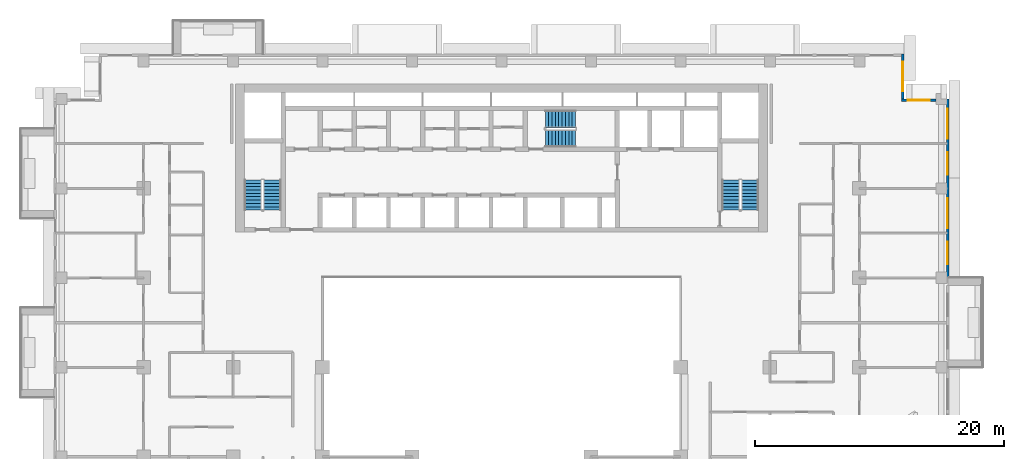
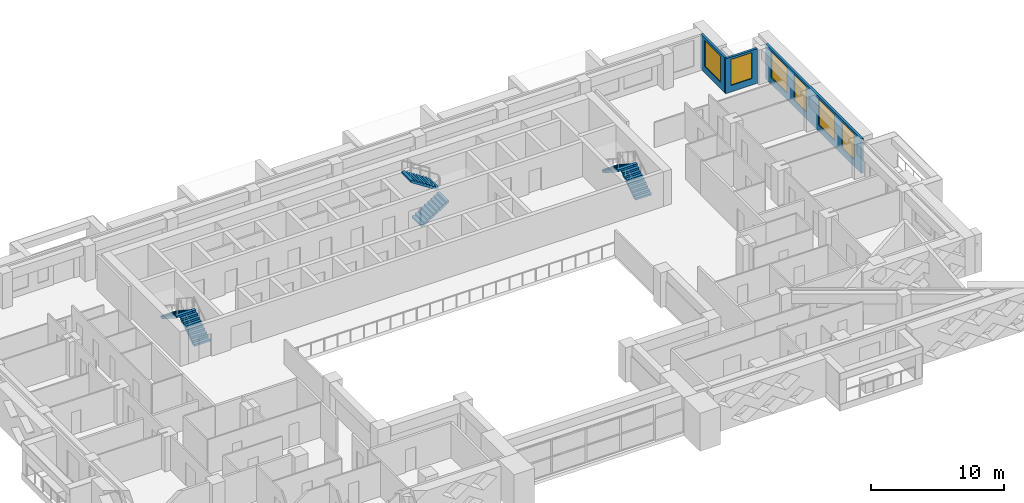
# One storey, part 13 of 20: 6 stair flights, 6 windows, 3 walls, 6 openings, 3 elements without a shape of their own.
"""IFC4 building model written with IfcOpenShell, lengths in metres."""

from ifc_helpers import new_model, si_unit, direction, frame, frame_2d, origin, place, context, subcontext, project, spatial, polyline, rectangle, outline, extrude, material, layer, layer_set, type_object, element, fill, aggregate, save


model = new_model("IFC4")

# Units and contexts
model_context = context("Model", 3, precision=1e-05, world=origin(), true_north=direction((0.0, 1.0)))
body_context = subcontext(model_context, "Body", "Model", "MODEL_VIEW")
ifc_project = project(units=[si_unit("LENGTHUNIT", "METRE"), si_unit("AREAUNIT", "SQUARE_METRE"), si_unit("VOLUMEUNIT", "CUBIC_METRE"), si_unit("PLANEANGLEUNIT", "RADIAN"), si_unit("MASSUNIT", "GRAM", prefix="KILO")], contexts=[model_context])

# Site, building, storey
site_placement = place(None, origin())
site = spatial("IfcSite", under=ifc_project, at=site_placement, CompositionType="ELEMENT")
building_placement = place(site_placement, origin())
building = spatial("IfcBuilding", under=site, at=building_placement, Name="Saffron Iwan Residences", CompositionType="ELEMENT")
storey_placement = place(building_placement, frame((0.0, 0.0, 123.5)))
storey = spatial("IfcBuildingStorey", under=building, at=storey_placement, Name="L32", CompositionType="ELEMENT", Elevation=123.5)

# Wall, openings, windows
ifc_material_1 = material(Name="Concrete C40/50", Category="concrete")
ifc_layer_1 = layer(ifc_material_1, 0.199951171875)
ifc_layer_set_1 = layer_set([ifc_layer_1], Name="Concrete C40/50")
wall_type = type_object("IfcWallType", Name="EXTERNAL WALL 200", PredefinedType="SOLIDWALL", material=ifc_layer_set_1)
wall_1_placement = place(storey_placement, frame((86.300048828125, 62.39990234375, 0.0), z_axis=(0.0, 0.0, 1.0), x_axis=(0.0, 1.0, 0.0)))
wall_1 = element("IfcWall", 1, at=wall_1_placement, inside=storey, type_object=wall_type, Name="External wall L32 F2.2", PredefinedType="SOLIDWALL", context=body_context, shape_type="SweptSolid", body=[
    extrude(rectangle(XDim=14.400146484375, YDim=0.199951171875, at=frame_2d((7.2001953125, 0.0))), origin(), (0.0, 0.0, 1.0), 3.199951171875),
])
opening_1_placement = place(wall_1_placement, frame((1.10009765625, 0.0, 0.60009765625)))
opening_1 = element("IfcOpeningElement", 2, at=opening_1_placement, cuts=wall_1, Name="Opening W8", PredefinedType="OPENING", context=body_context, shape_type="SweptSolid", body=[
    extrude(rectangle(XDim=1.800048828125, YDim=2.39990234375, at=frame_2d((0.89990234375, 1.199951171875))), frame((0.0, 0.10986328125, 0.0), z_axis=(0.0, -1.0, 0.0), x_axis=(1.0, 0.0, 0.0)), (0.0, 0.0, 1.0), 0.219970703125),
])
opening_2_placement = place(wall_1_placement, frame((4.0, 0.0, 0.60009765625)))
opening_2 = element("IfcOpeningElement", 3, at=opening_2_placement, cuts=wall_1, Name="Opening W1", PredefinedType="OPENING", context=body_context, shape_type="SweptSolid", body=[
    extrude(rectangle(XDim=2.39990234375, YDim=2.39990234375, at=frame_2d((1.199951171875, 1.199951171875))), frame((0.0, 0.10986328125, 0.0), z_axis=(0.0, -1.0, 0.0), x_axis=(1.0, 0.0, 0.0)), (0.0, 0.0, 1.0), 0.219970703125),
])
opening_3_placement = place(wall_1_placement, frame((8.300048828125, 0.0, 0.60009765625)))
opening_3 = element("IfcOpeningElement", 4, at=opening_3_placement, cuts=wall_1, Name="Opening W8", PredefinedType="OPENING", context=body_context, shape_type="SweptSolid", body=[
    extrude(rectangle(XDim=1.800048828125, YDim=2.39990234375, at=frame_2d((0.89990234375, 1.199951171875))), frame((0.0, 0.10986328125, 0.0), z_axis=(0.0, -1.0, 0.0), x_axis=(1.0, 0.0, 0.0)), (0.0, 0.0, 1.0), 0.219970703125),
])
opening_4_placement = place(wall_1_placement, frame((11.199951171875, 0.0, 0.60009765625)))
opening_4 = element("IfcOpeningElement", 5, at=opening_4_placement, cuts=wall_1, Name="Opening W1", PredefinedType="OPENING", context=body_context, shape_type="SweptSolid", body=[
    extrude(rectangle(XDim=2.39990234375, YDim=2.39990234375, at=frame_2d((1.199951171875, 1.199951171875))), frame((0.0, 0.10986328125, 0.0), z_axis=(0.0, -1.0, 0.0), x_axis=(1.0, 0.0, 0.0)), (0.0, 0.0, 1.0), 0.219970703125),
])
ifc_material_2 = material(Name="Clear glass, laminated double glazed", Category="glass")
window_type_1 = type_object("IfcWindowType", Name="WINDOW 1800 x 2400", PartitioningType="DOUBLE_PANEL_VERTICAL", PredefinedType="WINDOW", material=ifc_material_2)
window_1_placement = place(opening_1_placement, origin())
window_1 = element("IfcWindow", 6, at=window_1_placement, inside=storey, type_object=window_type_1, Name="Window L32 F2.0", OverallHeight=2.39990234375, OverallWidth=1.800048828125, PartitioningType="DOUBLE_PANEL_VERTICAL", PredefinedType="WINDOW", context=body_context, shape_type="SweptSolid", body=[
    extrude(rectangle(XDim=1.800048828125, YDim=2.39990234375, at=frame_2d((0.89990234375, 1.199951171875))), frame((0.0, 0.030029296875, 0.0), z_axis=(0.0, -1.0, 0.0), x_axis=(1.0, 0.0, 0.0)), (0.0, 0.0, 1.0), 0.06005859375),
])
fill(opening_1, window_1)
window_2_placement = place(opening_3_placement, origin())
window_2 = element("IfcWindow", 7, at=window_2_placement, inside=storey, type_object=window_type_1, Name="Window L32 F2.2", OverallHeight=2.39990234375, OverallWidth=1.800048828125, PartitioningType="DOUBLE_PANEL_VERTICAL", PredefinedType="WINDOW", context=body_context, shape_type="SweptSolid", body=[
    extrude(rectangle(XDim=1.800048828125, YDim=2.39990234375, at=frame_2d((0.89990234375, 1.199951171875))), frame((0.0, 0.030029296875, 0.0), z_axis=(0.0, -1.0, 0.0), x_axis=(1.0, 0.0, 0.0)), (0.0, 0.0, 1.0), 0.06005859375),
])
fill(opening_3, window_2)
window_type_2 = type_object("IfcWindowType", Name="WINDOW 2400 x 2400", PartitioningType="DOUBLE_PANEL_VERTICAL", PredefinedType="WINDOW", material=ifc_material_2)
window_3_placement = place(opening_2_placement, origin())
window_3 = element("IfcWindow", 8, at=window_3_placement, inside=storey, type_object=window_type_2, Name="Window L32 F2.1", OverallHeight=2.39990234375, OverallWidth=2.39990234375, PartitioningType="DOUBLE_PANEL_VERTICAL", PredefinedType="WINDOW", context=body_context, shape_type="SweptSolid", body=[
    extrude(rectangle(XDim=2.39990234375, YDim=2.39990234375, at=frame_2d((1.199951171875, 1.199951171875))), frame((0.0, 0.030029296875, 0.0), z_axis=(0.0, -1.0, 0.0), x_axis=(1.0, 0.0, 0.0)), (0.0, 0.0, 1.0), 0.06005859375),
])
fill(opening_2, window_3)
window_4_placement = place(opening_4_placement, origin())
window_4 = element("IfcWindow", 9, at=window_4_placement, inside=storey, type_object=window_type_2, Name="Window L32 F2.3", OverallHeight=2.39990234375, OverallWidth=2.39990234375, PartitioningType="DOUBLE_PANEL_VERTICAL", PredefinedType="WINDOW", context=body_context, shape_type="SweptSolid", body=[
    extrude(rectangle(XDim=2.39990234375, YDim=2.39990234375, at=frame_2d((1.199951171875, 1.199951171875))), frame((0.0, 0.030029296875, 0.0), z_axis=(0.0, -1.0, 0.0), x_axis=(1.0, 0.0, 0.0)), (0.0, 0.0, 1.0), 0.06005859375),
])
fill(opening_4, window_4)

# Wall, opening, window
wall_2_placement = place(storey_placement, frame((85.35009765625, 76.699951171875, 0.0), z_axis=(0.0, 0.0, 1.0), x_axis=(-1.0, 0.0, 0.0)))
wall_2 = element("IfcWall", 10, at=wall_2_placement, inside=storey, type_object=wall_type, Name="External wall L32 F3.0", PredefinedType="SOLIDWALL", context=body_context, shape_type="SweptSolid", body=[
    extrude(rectangle(XDim=2.75, YDim=0.199951171875, at=frame_2d((1.375, 0.0))), origin(), (0.0, 0.0, 1.0), 3.199951171875),
])
opening_5_placement = place(wall_2_placement, frame((0.47509765625, 0.0, 0.60009765625)))
opening_5 = element("IfcOpeningElement", 11, at=opening_5_placement, cuts=wall_2, Name="Opening W8", PredefinedType="OPENING", context=body_context, shape_type="SweptSolid", body=[
    extrude(rectangle(XDim=1.800048828125, YDim=2.39990234375, at=frame_2d((0.89990234375, 1.199951171875))), frame((0.0, 0.10986328125, 0.0), z_axis=(0.0, -1.0, 0.0), x_axis=(1.0, 0.0, 0.0)), (0.0, 0.0, 1.0), 0.219970703125),
])
window_5_placement = place(opening_5_placement, origin())
window_5 = element("IfcWindow", 12, at=window_5_placement, inside=storey, type_object=window_type_1, Name="Window L32 F3.0", OverallHeight=2.39990234375, OverallWidth=1.800048828125, PartitioningType="DOUBLE_PANEL_VERTICAL", PredefinedType="WINDOW", context=body_context, shape_type="SweptSolid", body=[
    extrude(rectangle(XDim=1.800048828125, YDim=2.39990234375, at=frame_2d((0.89990234375, 1.199951171875))), frame((0.0, 0.030029296875, 0.0), z_axis=(0.0, -1.0, 0.0), x_axis=(1.0, 0.0, 0.0)), (0.0, 0.0, 1.0), 0.06005859375),
])
fill(opening_5, window_5)

wall_3_placement = place(storey_placement, frame((82.699951171875, 76.800048828125, 0.0), z_axis=(0.0, 0.0, 1.0), x_axis=(0.0, 1.0, 0.0)))
wall_3 = element("IfcWall", 13, at=wall_3_placement, inside=storey, type_object=wall_type, Name="External wall L32 F4.0", PredefinedType="SOLIDWALL", context=body_context, shape_type="SweptSolid", body=[
    extrude(rectangle(XDim=3.599853515625, YDim=0.199951171875, at=frame_2d((1.7998046875, 0.0))), origin(), (0.0, 0.0, 1.0), 3.199951171875),
])
opening_6_placement = place(wall_3_placement, frame((0.60009765625, 0.0, 0.60009765625)))
opening_6 = element("IfcOpeningElement", 14, at=opening_6_placement, cuts=wall_3, Name="Opening W1", PredefinedType="OPENING", context=body_context, shape_type="SweptSolid", body=[
    extrude(rectangle(XDim=2.39990234375, YDim=2.39990234375, at=frame_2d((1.199951171875, 1.199951171875))), frame((0.0, 0.10986328125, 0.0), z_axis=(0.0, -1.0, 0.0), x_axis=(1.0, 0.0, 0.0)), (0.0, 0.0, 1.0), 0.219970703125),
])
window_6_placement = place(opening_6_placement, origin())
window_6 = element("IfcWindow", 15, at=window_6_placement, inside=storey, type_object=window_type_2, Name="Window L32 F4.0", OverallHeight=2.39990234375, OverallWidth=2.39990234375, PartitioningType="DOUBLE_PANEL_VERTICAL", PredefinedType="WINDOW", context=body_context, shape_type="SweptSolid", body=[
    extrude(rectangle(XDim=2.39990234375, YDim=2.39990234375, at=frame_2d((1.199951171875, 1.199951171875))), frame((0.0, 0.030029296875, 0.0), z_axis=(0.0, -1.0, 0.0), x_axis=(1.0, 0.0, 0.0)), (0.0, 0.0, 1.0), 0.06005859375),
])
fill(opening_6, window_6)

# Stair, stair flights
ifc_material_3 = material(Name="Concrete C50/60", Category="concrete")
stair_type = type_object("IfcStairType", Name="Stair ST-CORE", PredefinedType="HALF_TURN_STAIR", material=ifc_material_3)
stair_1_placement = place(storey_placement, origin())
stair_1 = element("IfcStair", 16, at=stair_1_placement, inside=storey, type_object=stair_type, Name="L32 Exit Stair ST-W", PredefinedType="HALF_TURN_STAIR")
ifc_layer_2 = layer(ifc_material_3, 0.14990234375)
ifc_layer_set_2 = layer_set([ifc_layer_2], Name="Concrete C50/60")
stair_flight_type = type_object("IfcStairFlightType", Name="Stair flight SFL-RC", PredefinedType="STRAIGHT", material=ifc_layer_set_2)
stair_flight_1_placement = place(storey_placement, frame((31.949951171875, 67.85009765625, 0.0), z_axis=(0.0, 0.0, 1.0), x_axis=(0.0, 1.0, 0.0)))
stair_flight_1 = element("IfcStairFlight", 17, at=stair_flight_1_placement, type_object=stair_flight_type, Name="ST-W flight 1", NumberOfRisers=10, NumberOfTreads=9, PredefinedType="STRAIGHT", RiserHeight=0.175, TreadLength=0.27, context=body_context, shape_type="SweptSolid", body=[
    extrude(outline(polyline([(0.0, 0.0), (0.0, 0.175048828125), (0.27001953125, 0.175048828125), (0.27001953125, 0.35009765625), (0.5400390625, 0.35009765625), (0.5400390625, 0.52490234375), (0.81005859375, 0.52490234375), (0.81005859375, 0.699951171875), (1.080078125, 0.699951171875), (1.080078125, 0.875), (1.35009765625, 0.875), (1.35009765625, 1.050048828125), (1.6201171875, 1.050048828125), (1.6201171875, 1.22509765625), (1.889892578125, 1.22509765625), (1.889892578125, 1.39990234375), (2.159912109375, 1.39990234375), (2.159912109375, 1.574951171875), (2.429931640625, 1.574951171875), (2.429931640625, 1.75), (2.429931640625, 1.396484375), (0.275634765625, 0.0), (0.0, 0.0)])), frame((0.0, 0.699951171875, 0.0), z_axis=(0.0, -1.0, 0.0), x_axis=(1.0, 0.0, 0.0)), (0.0, 0.0, 1.0), 1.39990234375),
])
stair_flight_2_placement = place(storey_placement, frame((30.39990234375, 70.280029296875, 1.75), z_axis=(0.0, 0.0, 1.0), x_axis=(0.0, -1.0, 0.0)))
stair_flight_2 = element("IfcStairFlight", 18, at=stair_flight_2_placement, type_object=stair_flight_type, Name="ST-W flight 2", NumberOfRisers=10, NumberOfTreads=9, PredefinedType="STRAIGHT", RiserHeight=0.175, TreadLength=0.27, context=body_context, shape_type="SweptSolid", body=[
    extrude(outline(polyline([(0.0, 0.0), (0.0, 0.175048828125), (0.27001953125, 0.175048828125), (0.27001953125, 0.35009765625), (0.5400390625, 0.35009765625), (0.5400390625, 0.52490234375), (0.81005859375, 0.52490234375), (0.81005859375, 0.699951171875), (1.080078125, 0.699951171875), (1.080078125, 0.875), (1.35009765625, 0.875), (1.35009765625, 1.050048828125), (1.6201171875, 1.050048828125), (1.6201171875, 1.22509765625), (1.889892578125, 1.22509765625), (1.889892578125, 1.39990234375), (2.159912109375, 1.39990234375), (2.159912109375, 1.574951171875), (2.429931640625, 1.574951171875), (2.429931640625, 1.75), (2.429931640625, 1.396484375), (0.275634765625, 0.0), (0.0, 0.0)])), frame((0.0, 0.699951171875, 0.0), z_axis=(0.0, -1.0, 0.0), x_axis=(1.0, 0.0, 0.0)), (0.0, 0.0, 1.0), 1.39990234375),
])
aggregate(stair_1, [stair_flight_1, stair_flight_2])

stair_2_placement = place(storey_placement, origin())
stair_2 = element("IfcStair", 19, at=stair_2_placement, inside=storey, type_object=stair_type, Name="L32 Exit Stair ST-C", PredefinedType="HALF_TURN_STAIR")
stair_flight_3_placement = place(storey_placement, frame((53.925048828125, 73.625, 0.0), z_axis=(0.0, 0.0, 1.0), x_axis=(1.0, 0.0, 0.0)))
stair_flight_3 = element("IfcStairFlight", 20, at=stair_flight_3_placement, type_object=stair_flight_type, Name="ST-C flight 1", NumberOfRisers=10, NumberOfTreads=9, PredefinedType="STRAIGHT", RiserHeight=0.175, TreadLength=0.27, context=body_context, shape_type="SweptSolid", body=[
    extrude(outline(polyline([(0.0, 0.0), (0.0, 0.175048828125), (0.27001953125, 0.175048828125), (0.27001953125, 0.35009765625), (0.5400390625, 0.35009765625), (0.5400390625, 0.52490234375), (0.81005859375, 0.52490234375), (0.81005859375, 0.699951171875), (1.080078125, 0.699951171875), (1.080078125, 0.875), (1.35009765625, 0.875), (1.35009765625, 1.050048828125), (1.6201171875, 1.050048828125), (1.6201171875, 1.22509765625), (1.889892578125, 1.22509765625), (1.889892578125, 1.39990234375), (2.159912109375, 1.39990234375), (2.159912109375, 1.574951171875), (2.429931640625, 1.574951171875), (2.429931640625, 1.75), (2.429931640625, 1.396484375), (0.275634765625, 0.0), (0.0, 0.0)])), frame((0.0, 0.699951171875, 0.0), z_axis=(0.0, -1.0, 0.0), x_axis=(1.0, 0.0, 0.0)), (0.0, 0.0, 1.0), 1.39990234375),
])
stair_flight_4_placement = place(storey_placement, frame((56.35498046875, 75.175048828125, 1.75), z_axis=(0.0, 0.0, 1.0), x_axis=(-1.0, 0.0, 0.0)))
stair_flight_4 = element("IfcStairFlight", 21, at=stair_flight_4_placement, type_object=stair_flight_type, Name="ST-C flight 2", NumberOfRisers=10, NumberOfTreads=9, PredefinedType="STRAIGHT", RiserHeight=0.175, TreadLength=0.27, context=body_context, shape_type="SweptSolid", body=[
    extrude(outline(polyline([(0.0, 0.0), (0.0, 0.175048828125), (0.27001953125, 0.175048828125), (0.27001953125, 0.35009765625), (0.5400390625, 0.35009765625), (0.5400390625, 0.52490234375), (0.81005859375, 0.52490234375), (0.81005859375, 0.699951171875), (1.080078125, 0.699951171875), (1.080078125, 0.875), (1.35009765625, 0.875), (1.35009765625, 1.050048828125), (1.6201171875, 1.050048828125), (1.6201171875, 1.22509765625), (1.889892578125, 1.22509765625), (1.889892578125, 1.39990234375), (2.159912109375, 1.39990234375), (2.159912109375, 1.574951171875), (2.429931640625, 1.574951171875), (2.429931640625, 1.75), (2.429931640625, 1.396484375), (0.275634765625, 0.0), (0.0, 0.0)])), frame((0.0, 0.699951171875, 0.0), z_axis=(0.0, -1.0, 0.0), x_axis=(1.0, 0.0, 0.0)), (0.0, 0.0, 1.0), 1.39990234375),
])
aggregate(stair_2, [stair_flight_3, stair_flight_4])

stair_3_placement = place(storey_placement, origin())
stair_3 = element("IfcStair", 22, at=stair_3_placement, inside=storey, type_object=stair_type, Name="L32 Exit Stair ST-E", PredefinedType="HALF_TURN_STAIR")
stair_flight_5_placement = place(storey_placement, frame((70.39990234375, 67.85009765625, 0.0), z_axis=(0.0, 0.0, 1.0), x_axis=(0.0, 1.0, 0.0)))
stair_flight_5 = element("IfcStairFlight", 23, at=stair_flight_5_placement, type_object=stair_flight_type, Name="ST-E flight 1", NumberOfRisers=10, NumberOfTreads=9, PredefinedType="STRAIGHT", RiserHeight=0.175, TreadLength=0.27, context=body_context, shape_type="SweptSolid", body=[
    extrude(outline(polyline([(0.0, 0.0), (0.0, 0.175048828125), (0.27001953125, 0.175048828125), (0.27001953125, 0.35009765625), (0.5400390625, 0.35009765625), (0.5400390625, 0.52490234375), (0.81005859375, 0.52490234375), (0.81005859375, 0.699951171875), (1.080078125, 0.699951171875), (1.080078125, 0.875), (1.35009765625, 0.875), (1.35009765625, 1.050048828125), (1.6201171875, 1.050048828125), (1.6201171875, 1.22509765625), (1.889892578125, 1.22509765625), (1.889892578125, 1.39990234375), (2.159912109375, 1.39990234375), (2.159912109375, 1.574951171875), (2.429931640625, 1.574951171875), (2.429931640625, 1.75), (2.429931640625, 1.396484375), (0.275634765625, 0.0), (0.0, 0.0)])), frame((0.0, 0.699951171875, 0.0), z_axis=(0.0, -1.0, 0.0), x_axis=(1.0, 0.0, 0.0)), (0.0, 0.0, 1.0), 1.39990234375),
])
stair_flight_6_placement = place(storey_placement, frame((68.85009765625, 70.280029296875, 1.75), z_axis=(0.0, 0.0, 1.0), x_axis=(0.0, -1.0, 0.0)))
stair_flight_6 = element("IfcStairFlight", 24, at=stair_flight_6_placement, type_object=stair_flight_type, Name="ST-E flight 2", NumberOfRisers=10, NumberOfTreads=9, PredefinedType="STRAIGHT", RiserHeight=0.175, TreadLength=0.27, context=body_context, shape_type="SweptSolid", body=[
    extrude(outline(polyline([(0.0, 0.0), (0.0, 0.175048828125), (0.27001953125, 0.175048828125), (0.27001953125, 0.35009765625), (0.5400390625, 0.35009765625), (0.5400390625, 0.52490234375), (0.81005859375, 0.52490234375), (0.81005859375, 0.699951171875), (1.080078125, 0.699951171875), (1.080078125, 0.875), (1.35009765625, 0.875), (1.35009765625, 1.050048828125), (1.6201171875, 1.050048828125), (1.6201171875, 1.22509765625), (1.889892578125, 1.22509765625), (1.889892578125, 1.39990234375), (2.159912109375, 1.39990234375), (2.159912109375, 1.574951171875), (2.429931640625, 1.574951171875), (2.429931640625, 1.75), (2.429931640625, 1.396484375), (0.275634765625, 0.0), (0.0, 0.0)])), frame((0.0, 0.699951171875, 0.0), z_axis=(0.0, -1.0, 0.0), x_axis=(1.0, 0.0, 0.0)), (0.0, 0.0, 1.0), 1.39990234375),
])
aggregate(stair_3, [stair_flight_5, stair_flight_6])

save(model, "model.ifc")
